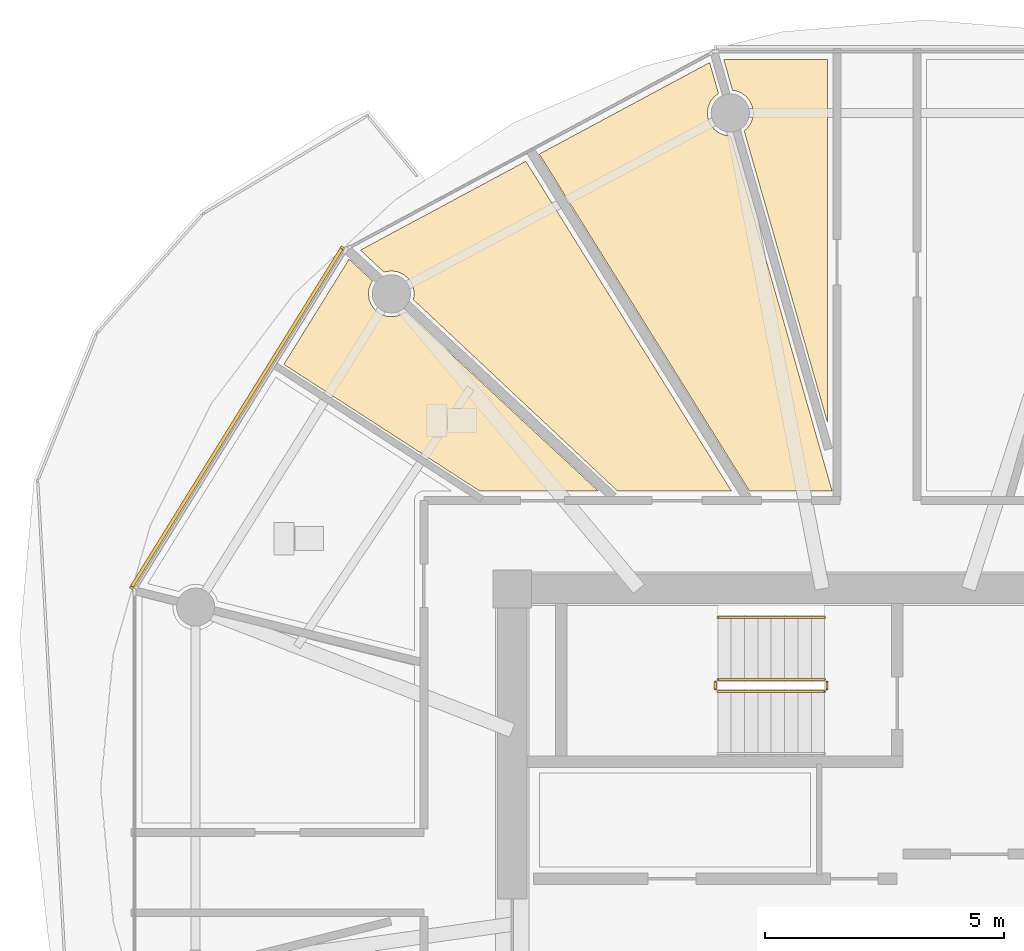
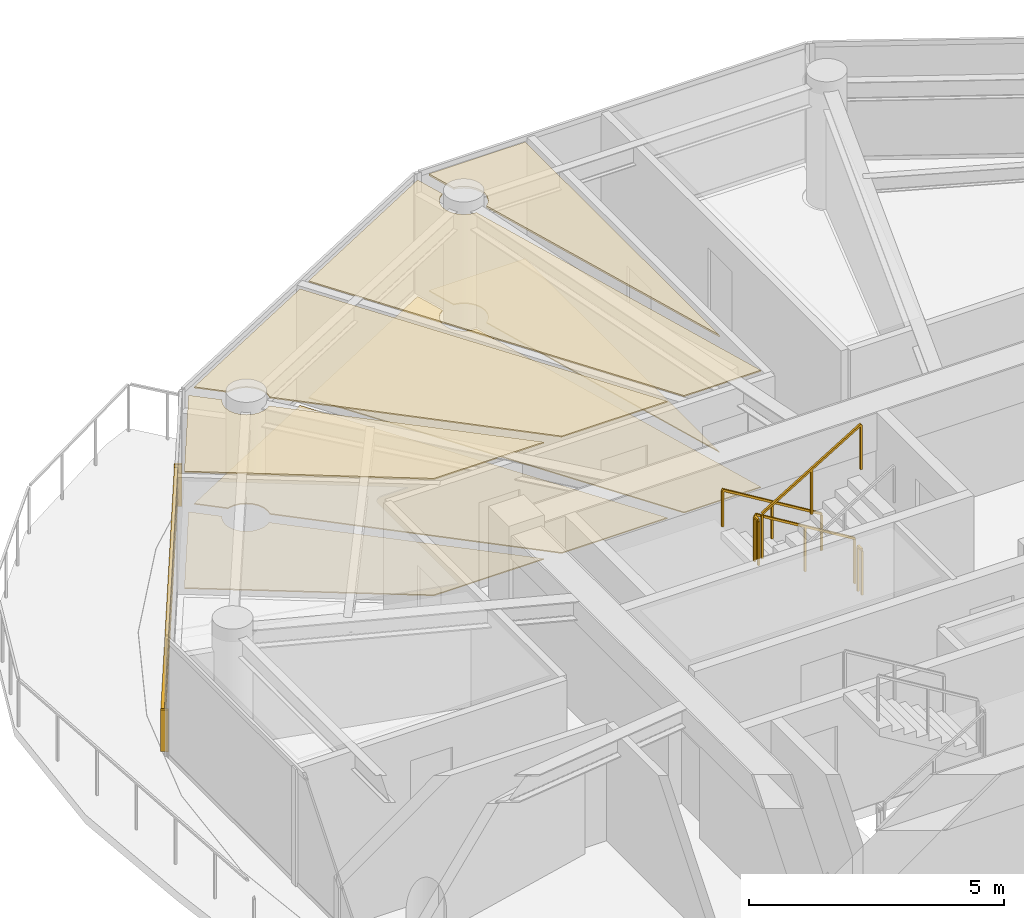
# One storey, part 21 of 25: 8 coverings, 5 railings, 1 shading device.
"""IFC4 building model written with IfcOpenShell, lengths in metres."""

from ifc_helpers import new_model, si_unit, direction, frame, origin, origin_2d, place, context, subcontext, project, spatial, polyline, rectangle, outline, extrude, source, transform, mapped, material, layer, layer_set, type_object, type_shapes, element, save


model = new_model("IFC4")

# Units and contexts
model_context = context("Model", 3, precision=1e-05, world=origin(), true_north=direction((0.0, 1.0)))
body_context = subcontext(model_context, "Body", "Model", "MODEL_VIEW")
ifc_project = project(units=[si_unit("LENGTHUNIT", "METRE"), si_unit("AREAUNIT", "SQUARE_METRE"), si_unit("VOLUMEUNIT", "CUBIC_METRE"), si_unit("PLANEANGLEUNIT", "RADIAN"), si_unit("MASSUNIT", "GRAM", prefix="KILO")], contexts=[model_context])

# Site, building, storey
site_placement = place(None, origin())
site = spatial("IfcSite", under=ifc_project, at=site_placement, CompositionType="ELEMENT")
building_placement = place(site_placement, origin())
building = spatial("IfcBuilding", under=site, at=building_placement, Name="Norrkilde Senior Care Towers", CompositionType="ELEMENT")
storey_placement = place(building_placement, frame((0.0, 0.0, 161.75)))
storey = spatial("IfcBuildingStorey", under=building, at=storey_placement, Name="L50", CompositionType="ELEMENT", Elevation=161.75)

# Coverings
ifc_material_1 = material(Name="Nordic Ash Timber", Category="wood")
ifc_layer_1 = layer(ifc_material_1, 0.044921875)
ifc_layer_set_1 = layer_set([ifc_layer_1], Name="Nordic Ash Timber")
covering_type_1 = type_object("IfcCoveringType", Name="Acoustic Ash Timber Slatted Ceiling 45", PredefinedType="CEILING", material=ifc_layer_set_1)
covering_1_placement = place(storey_placement, frame((0.0, 0.0, 2.764892578125)))
element("IfcCovering", 1, at=covering_1_placement, inside=storey, type_object=covering_type_1, Name="L50 Suspended Ceiling 0307", PredefinedType="CEILING", context=body_context, shape_type="SweptSolid", body=[
    extrude(outline(polyline([(-30.78759765625, 15.548583984375), (-30.73779296875, 15.586669921875), (-30.66162109375, 15.686279296875), (-30.613525390625, 15.802001953125), (-30.59716796875, 15.92626953125), (-30.613525390625, 16.05029296875), (-30.66162109375, 16.166259765625), (-30.73779296875, 16.265625), (-30.83740234375, 16.341796875), (-30.953125, 16.389892578125), (-31.031005859375, 16.400146484375), (-31.217529296875, 17.05224609375), (-29.0400390625, 17.05224609375), (-29.0400390625, 9.435546875), (-30.78759765625, 15.548583984375)])), origin(), (0.0, 0.0, 1.0), 0.045166015625),
])
ifc_material_2 = material(Name="Gypsum Acoustic Board")
ifc_layer_2 = layer(ifc_material_2, 0.030029296875)
ifc_layer_set_2 = layer_set([ifc_layer_2], Name="Gypsum Acoustic Board")
covering_type_2 = type_object("IfcCoveringType", Name="Medical Cleanable Gypsum Ceiling 30", PredefinedType="CEILING", material=ifc_layer_set_2)
covering_2_placement = place(storey_placement, frame((0.0, 0.0, 2.780029296875)))
element("IfcCovering", 2, at=covering_2_placement, inside=storey, type_object=covering_type_2, Name="L50 Suspended Ceiling 0311", PredefinedType="CEILING", context=body_context, shape_type="SweptSolid", body=[
    extrude(outline(polyline([(-31.32470703125, 16.336181640625), (-31.416748046875, 16.265625), (-31.492919921875, 16.166259765625), (-31.541015625, 16.05029296875), (-31.557373046875, 15.92626953125), (-31.541015625, 15.802001953125), (-31.492919921875, 15.686279296875), (-31.416748046875, 15.586669921875), (-31.3173828125, 15.510498046875), (-31.201416015625, 15.46240234375), (-31.077392578125, 15.446044921875), (-31.070556640625, 15.447021484375), (-28.941650390625, 8.0), (-30.67578125, 8.0), (-35.081787109375, 15.065185546875), (-31.509765625, 16.983154296875), (-31.32470703125, 16.336181640625)])), origin(), (0.0, 0.0, 1.0), 0.030029296875),
])
covering_3_placement = place(storey_placement, frame((0.0, 0.0, 2.780029296875)))
element("IfcCovering", 3, at=covering_3_placement, inside=storey, type_object=covering_type_2, Name="L50 Suspended Ceiling 0312", PredefinedType="CEILING", context=body_context, shape_type="SweptSolid", body=[
    extrude(outline(polyline([(-33.4404296875, 8.0), (-37.718994140625, 12.01025390625), (-37.718994140625, 12.01025390625), (-37.70263671875, 12.134521484375), (-37.718994140625, 12.2587890625), (-37.766845703125, 12.37451171875), (-37.84326171875, 12.473876953125), (-37.942626953125, 12.550048828125), (-38.058349609375, 12.59814453125), (-38.1826171875, 12.614501953125), (-38.306884765625, 12.59814453125), (-38.334228515625, 12.5869140625), (-38.830810546875, 13.05224609375), (-35.3642578125, 14.91357421875), (-31.052978515625, 8.0), (-33.4404296875, 8.0)])), origin(), (0.0, 0.0, 1.0), 0.030029296875),
])
covering_4_placement = place(storey_placement, frame((0.0, 0.0, 2.780029296875)))
element("IfcCovering", 4, at=covering_4_placement, inside=storey, type_object=covering_type_2, Name="L50 Suspended Ceiling 0313", PredefinedType="CEILING", context=body_context, shape_type="SweptSolid", body=[
    extrude(outline(polyline([(-38.576171875, 12.4033203125), (-38.598388671875, 12.37451171875), (-38.646240234375, 12.2587890625), (-38.66259765625, 12.134521484375), (-38.646240234375, 12.01025390625), (-38.598388671875, 11.89453125), (-38.52197265625, 11.795166015625), (-38.422607421875, 11.71875), (-38.306884765625, 11.6708984375), (-38.1826171875, 11.654541015625), (-38.058349609375, 11.6708984375), (-37.942626953125, 11.71875), (-37.886474609375, 11.76171875), (-33.8427734375, 8.0), (-36.327880859375, 8.0), (-40.43798828125, 10.65576171875), (-39.068603515625, 12.861328125), (-38.576171875, 12.4033203125)])), origin(), (0.0, 0.0, 1.0), 0.030029296875),
])
ifc_material_3 = material(Name="Slip-Resistant Porcelain Stone", Category="masonry")
ifc_layer_3 = layer(ifc_material_3, 0.02490234375)
ifc_layer_set_3 = layer_set([ifc_layer_3], Name="Slip-Resistant Porcelain Stone")
covering_type_3 = type_object("IfcCoveringType", Name="Slip-Resistant Porcelain Flooring 25", PredefinedType="FLOORING", material=ifc_layer_set_3)
covering_5_placement = place(storey_placement, origin())
element("IfcCovering", 5, at=covering_5_placement, inside=storey, type_object=covering_type_3, Name="L50 Floor Finish 0307", PredefinedType="FLOORING", context=body_context, shape_type="SweptSolid", body=[
    extrude(outline(polyline([(-30.78759765625, 15.548583984375), (-30.73779296875, 15.586669921875), (-30.66162109375, 15.686279296875), (-30.613525390625, 15.802001953125), (-30.59716796875, 15.92626953125), (-30.613525390625, 16.05029296875), (-30.66162109375, 16.166259765625), (-30.73779296875, 16.265625), (-30.83740234375, 16.341796875), (-30.953125, 16.389892578125), (-31.031005859375, 16.400146484375), (-31.217529296875, 17.05224609375), (-29.0400390625, 17.05224609375), (-29.0400390625, 9.435546875), (-30.78759765625, 15.548583984375)])), origin(), (0.0, 0.0, 1.0), 0.02490234375),
])
covering_6_placement = place(storey_placement, origin())
element("IfcCovering", 6, at=covering_6_placement, inside=storey, type_object=covering_type_3, Name="L50 Floor Finish 0311", PredefinedType="FLOORING", context=body_context, shape_type="SweptSolid", body=[
    extrude(outline(polyline([(-31.32470703125, 16.336181640625), (-31.416748046875, 16.265625), (-31.492919921875, 16.166259765625), (-31.541015625, 16.05029296875), (-31.557373046875, 15.92626953125), (-31.541015625, 15.802001953125), (-31.492919921875, 15.686279296875), (-31.416748046875, 15.586669921875), (-31.3173828125, 15.510498046875), (-31.201416015625, 15.46240234375), (-31.077392578125, 15.446044921875), (-31.070556640625, 15.447021484375), (-28.941650390625, 8.0), (-30.67578125, 8.0), (-35.081787109375, 15.065185546875), (-31.509765625, 16.983154296875), (-31.32470703125, 16.336181640625)])), origin(), (0.0, 0.0, 1.0), 0.02490234375),
])
covering_7_placement = place(storey_placement, origin())
element("IfcCovering", 7, at=covering_7_placement, inside=storey, type_object=covering_type_3, Name="L50 Floor Finish 0312", PredefinedType="FLOORING", context=body_context, shape_type="SweptSolid", body=[
    extrude(outline(polyline([(-33.4404296875, 8.0), (-37.718994140625, 12.01025390625), (-37.718994140625, 12.01025390625), (-37.70263671875, 12.134521484375), (-37.718994140625, 12.2587890625), (-37.766845703125, 12.37451171875), (-37.84326171875, 12.473876953125), (-37.942626953125, 12.550048828125), (-38.058349609375, 12.59814453125), (-38.1826171875, 12.614501953125), (-38.306884765625, 12.59814453125), (-38.334228515625, 12.5869140625), (-38.830810546875, 13.05224609375), (-35.3642578125, 14.91357421875), (-31.052978515625, 8.0), (-33.4404296875, 8.0)])), origin(), (0.0, 0.0, 1.0), 0.02490234375),
])
covering_8_placement = place(storey_placement, origin())
element("IfcCovering", 8, at=covering_8_placement, inside=storey, type_object=covering_type_3, Name="L50 Floor Finish 0313", PredefinedType="FLOORING", context=body_context, shape_type="SweptSolid", body=[
    extrude(outline(polyline([(-38.576171875, 12.4033203125), (-38.598388671875, 12.37451171875), (-38.646240234375, 12.2587890625), (-38.66259765625, 12.134521484375), (-38.646240234375, 12.01025390625), (-38.598388671875, 11.89453125), (-38.52197265625, 11.795166015625), (-38.422607421875, 11.71875), (-38.306884765625, 11.6708984375), (-38.1826171875, 11.654541015625), (-38.058349609375, 11.6708984375), (-37.942626953125, 11.71875), (-37.886474609375, 11.76171875), (-33.8427734375, 8.0), (-36.327880859375, 8.0), (-40.43798828125, 10.65576171875), (-39.068603515625, 12.861328125), (-38.576171875, 12.4033203125)])), origin(), (0.0, 0.0, 1.0), 0.02490234375),
])

# Railings
ifc_material_4 = material(Name="Stainless Steel", Category="steel")
railing_type_1 = type_object("IfcRailingType", Name="Stair and Terrace Guardrail 1100", PredefinedType="GUARDRAIL", material=ifc_material_4)
railing_1_placement = place(storey_placement, frame((-29.10009765625, 4.050048828125, 0.16943359375)))
element("IfcRailing", 9, at=railing_1_placement, inside=storey, type_object=railing_type_1, Name="L50 ST-W1 stair guard 1", PredefinedType="GUARDRAIL", context=body_context, shape_type="SweptSolid", body=[
    extrude(rectangle(XDim=0.048095703125, YDim=0.048095703125, at=origin_2d()), frame((0.0, 0.0, 1.076171875), z_axis=(-0.855553338991, 0.0, 0.51771467445), x_axis=(0.0, -1.0, 0.0)), (0.0, 0.0, 1.0), 2.6181640625),
    extrude(rectangle(XDim=0.0419921875, YDim=0.0419921875, at=origin_2d()), origin(), (0.0, 0.0, 1.0), 1.050048828125),
    extrude(rectangle(XDim=0.0419921875, YDim=0.0419921875, at=origin_2d()), frame((-1.1201171875, 0.0, 0.677734375)), (0.0, 0.0, 1.0), 1.050048828125),
    extrude(rectangle(XDim=0.0419921875, YDim=0.0419921875, at=origin_2d()), frame((-2.239990234375, 0.0, 1.35546875)), (0.0, 0.0, 1.0), 1.050048828125),
])
railing_2_placement = place(storey_placement, frame((-31.389892578125, 4.0, 1.52490234375)))
element("IfcRailing", 10, at=railing_2_placement, inside=storey, type_object=railing_type_1, Name="L50 ST-W1 stair guard 2", PredefinedType="GUARDRAIL", context=body_context, shape_type="SweptSolid", body=[
    extrude(rectangle(XDim=0.048095703125, YDim=0.048095703125, at=origin_2d()), frame((0.0, 0.0, 1.076171875), z_axis=(0.0, -1.0, 0.0), x_axis=(1.0, 0.0, 0.0)), (0.0, 0.0, 1.0), 0.14990234375),
    extrude(rectangle(XDim=0.0419921875, YDim=0.0419921875, at=origin_2d()), origin(), (0.0, 0.0, 1.0), 1.050048828125),
    extrude(rectangle(XDim=0.0419921875, YDim=0.0419921875, at=origin_2d()), frame((0.0, -0.14990234375, 0.0)), (0.0, 0.0, 1.0), 1.050048828125),
])
railing_3_placement = place(storey_placement, frame((-31.340087890625, 3.800048828125, 1.6943359375)))
element("IfcRailing", 11, at=railing_3_placement, inside=storey, type_object=railing_type_1, Name="L50 ST-W1 stair guard 3", PredefinedType="GUARDRAIL", context=body_context, shape_type="SweptSolid", body=[
    extrude(rectangle(XDim=0.048095703125, YDim=0.048095703125, at=origin_2d()), frame((0.0, 0.0, 1.076171875), z_axis=(0.855512035549, 0.0, 0.517782924622), x_axis=(0.0, 1.0, 0.0)), (0.0, 0.0, 1.0), 2.618408203125),
    extrude(rectangle(XDim=0.0419921875, YDim=0.0419921875, at=origin_2d()), origin(), (0.0, 0.0, 1.0), 1.050048828125),
    extrude(rectangle(XDim=0.0419921875, YDim=0.0419921875, at=origin_2d()), frame((1.1201171875, 0.0, 0.677734375)), (0.0, 0.0, 1.0), 1.050048828125),
    extrude(rectangle(XDim=0.0419921875, YDim=0.0419921875, at=origin_2d()), frame((2.239990234375, 0.0, 1.355712890625)), (0.0, 0.0, 1.0), 1.050048828125),
])
railing_4_placement = place(storey_placement, frame((-29.050048828125, 4.0, 0.0)))
element("IfcRailing", 12, at=railing_4_placement, inside=storey, type_object=railing_type_1, Name="L50 ST-W1 stair guard 4", PredefinedType="GUARDRAIL", context=body_context, shape_type="SweptSolid", body=[
    extrude(rectangle(XDim=0.048095703125, YDim=0.048095703125, at=origin_2d()), frame((0.0, 0.0, 1.076171875), z_axis=(0.0, -1.0, 0.0), x_axis=(1.0, 0.0, 0.0)), (0.0, 0.0, 1.0), 0.14990234375),
    extrude(rectangle(XDim=0.0419921875, YDim=0.0419921875, at=origin_2d()), origin(), (0.0, 0.0, 1.0), 1.050048828125),
    extrude(rectangle(XDim=0.0419921875, YDim=0.0419921875, at=origin_2d()), frame((0.0, -0.14990234375, 0.0)), (0.0, 0.0, 1.0), 1.050048828125),
])
railing_type_2 = type_object("IfcRailingType", Name="Wall and Stair Handrail 900", PredefinedType="HANDRAIL", material=ifc_material_1)
railing_5_placement = place(storey_placement, frame((-29.10009765625, 5.35009765625, 0.16943359375)))
element("IfcRailing", 13, at=railing_5_placement, inside=storey, type_object=railing_type_2, Name="L50 ST-W1 stair handrail 1", PredefinedType="HANDRAIL", context=body_context, shape_type="SweptSolid", body=[
    extrude(rectangle(XDim=0.048095703125, YDim=0.048095703125, at=origin_2d()), frame((0.0, 0.0, 0.8759765625), z_axis=(-0.855553338991, 0.0, 0.51771467445), x_axis=(0.0, -1.0, 0.0)), (0.0, 0.0, 1.0), 2.6181640625),
    extrude(rectangle(XDim=0.0419921875, YDim=0.0419921875, at=origin_2d()), origin(), (0.0, 0.0, 1.0), 0.849853515625),
    extrude(rectangle(XDim=0.0419921875, YDim=0.0419921875, at=origin_2d()), frame((-1.1201171875, 0.0, 0.677734375)), (0.0, 0.0, 1.0), 0.849853515625),
    extrude(rectangle(XDim=0.0419921875, YDim=0.0419921875, at=origin_2d()), frame((-2.239990234375, 0.0, 1.35546875)), (0.0, 0.0, 1.0), 0.849853515625),
])

# Shading device
ifc_material_5 = material(Name="Architectural Terracotta", Category="masonry")
shading_device_type = type_object("IfcShadingDeviceType", Name="Horizontal Terracotta Baguette Rack", PredefinedType="USERDEFINED", material=ifc_material_5)
shared_shape = source(origin(), body_context, "Body", "SweptSolid", [
    extrude(rectangle(XDim=0.070068359375, YDim=0.110107421875, at=origin_2d()), frame((0.0, 0.090087890625, 0.125), z_axis=(1.0, 0.0, 0.0), x_axis=(0.0, 1.0, 0.0)), (0.0, 0.0, 1.0), 8.431396484375),
    extrude(rectangle(XDim=0.070068359375, YDim=0.110107421875, at=origin_2d()), frame((0.0, 0.090087890625, 0.375), z_axis=(1.0, 0.0, 0.0), x_axis=(0.0, 1.0, 0.0)), (0.0, 0.0, 1.0), 8.431396484375),
    extrude(rectangle(XDim=0.070068359375, YDim=0.110107421875, at=origin_2d()), frame((0.0, 0.090087890625, 0.625), z_axis=(1.0, 0.0, 0.0), x_axis=(0.0, 1.0, 0.0)), (0.0, 0.0, 1.0), 8.431396484375),
    extrude(rectangle(XDim=0.070068359375, YDim=0.110107421875, at=origin_2d()), frame((0.0, 0.090087890625, 0.875), z_axis=(1.0, 0.0, 0.0), x_axis=(0.0, 1.0, 0.0)), (0.0, 0.0, 1.0), 8.431396484375),
    extrude(rectangle(XDim=0.050048828125, YDim=0.1552734375, at=origin_2d()), frame((0.02490234375, 0.047607421875, 0.0)), (0.0, 0.0, 1.0), 1.0),
    extrude(rectangle(XDim=0.050048828125, YDim=0.1552734375, at=origin_2d()), frame((8.40625, 0.047607421875, 0.0)), (0.0, 0.0, 1.0), 1.0),
])
type_shapes(shading_device_type, [shared_shape])
shading_device_placement = place(storey_placement, frame((-43.569580078125, 5.911376953125, 0.080078125), z_axis=(0.0, 0.0, 1.0), x_axis=(0.527378022296, 0.849630809324, 0.0)))
element("IfcShadingDevice", 14, at=shading_device_placement, inside=storey, type_object=shading_device_type, Name="L50 Drum W Terracotta Baguette Screen 04", ObjectType="BAGUETTE", PredefinedType="USERDEFINED", context=body_context, shape_type="MappedRepresentation", body=[
    mapped(shared_shape, transform((0.0, 0.0, 0.0), x_axis=(1.0, 0.0, 0.0), y_axis=(0.0, 1.0, 0.0), z_axis=(0.0, 0.0, 1.0), scale=1.0)),
])

save(model, "model.ifc")
